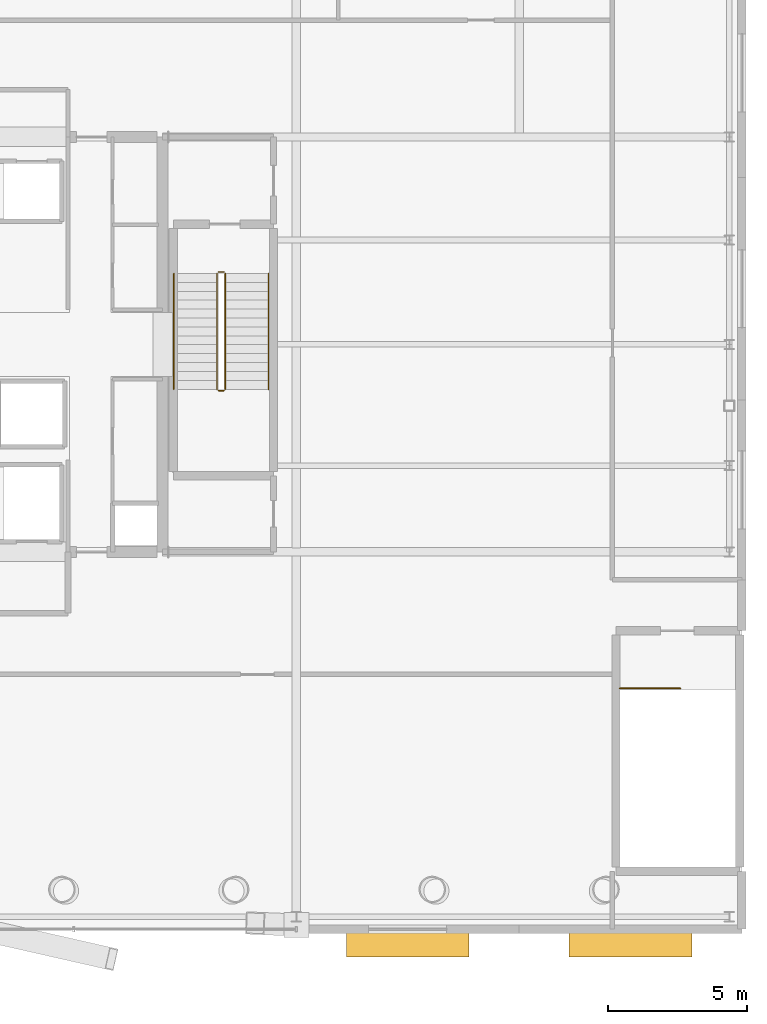
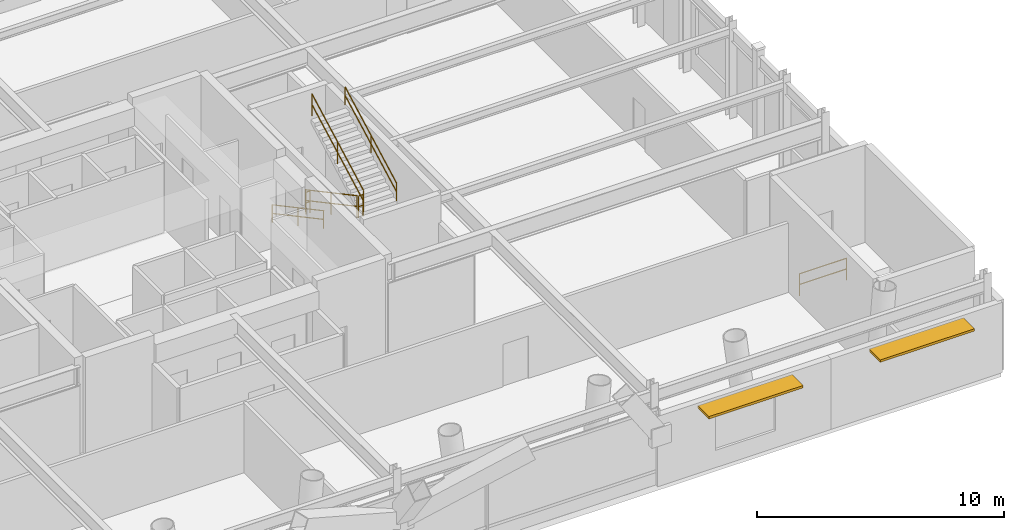
# One storey, part 20 of 21: 7 railings, 2 shading devices.
"""IFC4 building model written with IfcOpenShell, lengths in metres."""

from ifc_helpers import new_model, si_unit, direction, frame, origin, origin_2d, place, context, subcontext, project, spatial, rectangle, circle, extrude, material, layer, layer_set, type_object, element, save


model = new_model("IFC4")

# Units and contexts
model_context = context("Model", 3, precision=1e-05, world=origin(), true_north=direction((0.0, 1.0)))
body_context = subcontext(model_context, "Body", "Model", "MODEL_VIEW")
ifc_project = project(units=[si_unit("LENGTHUNIT", "METRE"), si_unit("AREAUNIT", "SQUARE_METRE"), si_unit("VOLUMEUNIT", "CUBIC_METRE"), si_unit("PLANEANGLEUNIT", "RADIAN"), si_unit("MASSUNIT", "GRAM", prefix="KILO")], contexts=[model_context])

# Site, building, storey
site_placement = place(None, origin())
site = spatial("IfcSite", under=ifc_project, at=site_placement, CompositionType="ELEMENT")
building_placement = place(site_placement, origin())
building = spatial("IfcBuilding", under=site, at=building_placement, Name="Veldorina Hangang Commons", CompositionType="ELEMENT")
storey_placement = place(building_placement, frame((0.0, 0.0, 19.60009765625)))
storey = spatial("IfcBuildingStorey", under=building, at=storey_placement, Name="L04", CompositionType="ELEMENT", Elevation=19.60009765625)

# Railings
ifc_material_1 = material(Name="Steel Painted Balustrade", Category="steel")
railing_type_1 = type_object("IfcRailingType", Name="RL-GRD-STAIR", PredefinedType="GUARDRAIL", material=ifc_material_1)
railing_1_placement = place(storey_placement, frame((41.14990234375, 26.550048828125, 0.17138671875)))
element("IfcRailing", 1, at=railing_1_placement, inside=storey, type_object=railing_type_1, Name="L04 ST-2 stair guard 1", PredefinedType="GUARDRAIL", context=body_context, shape_type="SweptSolid", body=[
    extrude(circle(Radius=0.02392578125, at=origin_2d()), frame((0.0, 0.0, 1.076171875), z_axis=(0.0, -0.881492274372, 0.472198443689), x_axis=(1.0, 0.0, 0.0)), (0.0, 0.0, 1.0), 4.719482421875),
    extrude(circle(Radius=0.02392578125, at=origin_2d()), frame((0.0, 0.0, 0.550048828125), z_axis=(0.0, -0.881492274372, 0.472198443689), x_axis=(1.0, 0.0, 0.0)), (0.0, 0.0, 1.0), 4.719482421875),
    extrude(circle(Radius=0.02099609375, at=origin_2d()), origin(), (0.0, 0.0, 1.0), 1.052001953125),
    extrude(circle(Radius=0.02099609375, at=origin_2d()), frame((0.0, -2.080078125, 1.1142578125)), (0.0, 0.0, 1.0), 1.052001953125),
    extrude(circle(Radius=0.02099609375, at=origin_2d()), frame((0.0, -4.16015625, 2.228515625)), (0.0, 0.0, 1.0), 1.052001953125),
])
railing_2_placement = place(storey_placement, frame((41.199951171875, 22.340087890625, 2.39990234375)))
element("IfcRailing", 2, at=railing_2_placement, inside=storey, type_object=railing_type_1, Name="L04 ST-2 stair guard 2", PredefinedType="GUARDRAIL", context=body_context, shape_type="SweptSolid", body=[
    extrude(circle(Radius=0.02392578125, at=origin_2d()), frame((0.0, 0.0, 1.076171875), z_axis=(1.0, 0.0, 0.0), x_axis=(0.0, 1.0, 0.0)), (0.0, 0.0, 1.0), 0.199951171875),
    extrude(circle(Radius=0.02392578125, at=origin_2d()), frame((0.0, 0.0, 0.550048828125), z_axis=(1.0, 0.0, 0.0), x_axis=(0.0, 1.0, 0.0)), (0.0, 0.0, 1.0), 0.199951171875),
    extrude(circle(Radius=0.02099609375, at=origin_2d()), origin(), (0.0, 0.0, 1.0), 1.052001953125),
    extrude(circle(Radius=0.02099609375, at=origin_2d()), frame((0.199951171875, 0.0, 0.0)), (0.0, 0.0, 1.0), 1.052001953125),
])
railing_3_placement = place(storey_placement, frame((41.449951171875, 22.389892578125, 2.5712890625)))
element("IfcRailing", 3, at=railing_3_placement, inside=storey, type_object=railing_type_1, Name="L04 ST-2 stair guard 3", PredefinedType="GUARDRAIL", context=body_context, shape_type="SweptSolid", body=[
    extrude(circle(Radius=0.02392578125, at=origin_2d()), frame((0.0, 0.0, 1.076171875), z_axis=(0.0, 0.881492274372, 0.472198443689), x_axis=(-1.0, 0.0, 0.0)), (0.0, 0.0, 1.0), 4.719482421875),
    extrude(circle(Radius=0.02392578125, at=origin_2d()), frame((0.0, 0.0, 0.550048828125), z_axis=(0.0, 0.881492274372, 0.472198443689), x_axis=(-1.0, 0.0, 0.0)), (0.0, 0.0, 1.0), 4.719482421875),
    extrude(circle(Radius=0.02099609375, at=origin_2d()), origin(), (0.0, 0.0, 1.0), 1.052001953125),
    extrude(circle(Radius=0.02099609375, at=origin_2d()), frame((0.0, 2.080078125, 1.1142578125)), (0.0, 0.0, 1.0), 1.052001953125),
    extrude(circle(Radius=0.02099609375, at=origin_2d()), frame((0.0, 4.16015625, 2.228515625)), (0.0, 0.0, 1.0), 1.052001953125),
])
railing_4_placement = place(storey_placement, frame((41.199951171875, 26.60009765625, 0.0)))
element("IfcRailing", 4, at=railing_4_placement, inside=storey, type_object=railing_type_1, Name="L04 ST-2 stair guard 4", PredefinedType="GUARDRAIL", context=body_context, shape_type="SweptSolid", body=[
    extrude(circle(Radius=0.02392578125, at=origin_2d()), frame((0.0, 0.0, 1.076171875), z_axis=(1.0, 0.0, 0.0), x_axis=(0.0, 1.0, 0.0)), (0.0, 0.0, 1.0), 0.199951171875),
    extrude(circle(Radius=0.02392578125, at=origin_2d()), frame((0.0, 0.0, 0.550048828125), z_axis=(1.0, 0.0, 0.0), x_axis=(0.0, 1.0, 0.0)), (0.0, 0.0, 1.0), 0.199951171875),
    extrude(circle(Radius=0.02099609375, at=origin_2d()), origin(), (0.0, 0.0, 1.0), 1.052001953125),
    extrude(circle(Radius=0.02099609375, at=origin_2d()), frame((0.199951171875, 0.0, 0.0)), (0.0, 0.0, 1.0), 1.052001953125),
])
railing_5_placement = place(storey_placement, frame((55.60009765625, 11.64990234375, 0.0)))
element("IfcRailing", 5, at=railing_5_placement, inside=storey, type_object=railing_type_1, Name="L04 ST-P2 top well guard 1", PredefinedType="GUARDRAIL", context=body_context, shape_type="SweptSolid", body=[
    extrude(circle(Radius=0.02392578125, at=origin_2d()), frame((0.0, 0.0, 1.076171875), z_axis=(1.0, 0.0, 0.0), x_axis=(0.0, 1.0, 0.0)), (0.0, 0.0, 1.0), 2.199951171875),
    extrude(circle(Radius=0.02392578125, at=origin_2d()), frame((0.0, 0.0, 0.550048828125), z_axis=(1.0, 0.0, 0.0), x_axis=(0.0, 1.0, 0.0)), (0.0, 0.0, 1.0), 2.199951171875),
    extrude(circle(Radius=0.02099609375, at=origin_2d()), origin(), (0.0, 0.0, 1.0), 1.052001953125),
    extrude(circle(Radius=0.02099609375, at=origin_2d()), frame((2.199951171875, 0.0, 0.0)), (0.0, 0.0, 1.0), 1.052001953125),
])
ifc_material_2 = material(Name="Stainless Steel Brushed 316", Category="steel")
railing_type_2 = type_object("IfcRailingType", Name="RL-HND-STAIR", PredefinedType="HANDRAIL", material=ifc_material_2)
railing_6_placement = place(storey_placement, frame((39.60009765625, 26.550048828125, 0.17138671875)))
element("IfcRailing", 6, at=railing_6_placement, inside=storey, type_object=railing_type_2, Name="L04 ST-2 stair handrail 1", PredefinedType="HANDRAIL", context=body_context, shape_type="SweptSolid", body=[
    extrude(circle(Radius=0.02392578125, at=origin_2d()), frame((0.0, 0.0, 0.8759765625), z_axis=(0.0, -0.881492274372, 0.472198443689), x_axis=(1.0, 0.0, 0.0)), (0.0, 0.0, 1.0), 4.719482421875),
    extrude(circle(Radius=0.02392578125, at=origin_2d()), frame((0.0, 0.0, 0.449951171875), z_axis=(0.0, -0.881492274372, 0.472198443689), x_axis=(1.0, 0.0, 0.0)), (0.0, 0.0, 1.0), 4.719482421875),
    extrude(circle(Radius=0.02099609375, at=origin_2d()), origin(), (0.0, 0.0, 1.0), 0.851806640625),
    extrude(circle(Radius=0.02099609375, at=origin_2d()), frame((0.0, -2.080078125, 1.1142578125)), (0.0, 0.0, 1.0), 0.851806640625),
    extrude(circle(Radius=0.02099609375, at=origin_2d()), frame((0.0, -4.16015625, 2.228515625)), (0.0, 0.0, 1.0), 0.851806640625),
])
railing_7_placement = place(storey_placement, frame((43.0, 22.389892578125, 2.5712890625)))
element("IfcRailing", 7, at=railing_7_placement, inside=storey, type_object=railing_type_2, Name="L04 ST-2 stair handrail 2", PredefinedType="HANDRAIL", context=body_context, shape_type="SweptSolid", body=[
    extrude(circle(Radius=0.02392578125, at=origin_2d()), frame((0.0, 0.0, 0.8759765625), z_axis=(0.0, 0.881492274372, 0.472198443689), x_axis=(-1.0, 0.0, 0.0)), (0.0, 0.0, 1.0), 4.719482421875),
    extrude(circle(Radius=0.02392578125, at=origin_2d()), frame((0.0, 0.0, 0.449951171875), z_axis=(0.0, 0.881492274372, 0.472198443689), x_axis=(-1.0, 0.0, 0.0)), (0.0, 0.0, 1.0), 4.719482421875),
    extrude(circle(Radius=0.02099609375, at=origin_2d()), origin(), (0.0, 0.0, 1.0), 0.851806640625),
    extrude(circle(Radius=0.02099609375, at=origin_2d()), frame((0.0, 2.080078125, 1.1142578125)), (0.0, 0.0, 1.0), 0.851806640625),
    extrude(circle(Radius=0.02099609375, at=origin_2d()), frame((0.0, 4.16015625, 2.228515625)), (0.0, 0.0, 1.0), 0.851806640625),
])

# Shading devices
ifc_material_3 = material(Name="Stone Roman Travertine", Category="masonry")
ifc_layer = layer(ifc_material_3, 0.1201171875)
ifc_layer_set = layer_set([ifc_layer], Name="Stone Roman Travertine")
shading_device_type = type_object("IfcShadingDeviceType", Name="SHD-POD-4000", PredefinedType="USERDEFINED", material=ifc_layer_set)
for number, where, z_axis, x_axis, name in (
    (8, (48.0, 2.449951171875, 3.18994140625), (0.0, 0.0, 1.0), (1.0, 0.0, 0.0), "L04 south travertine sunshade S6"),
    (9, (56.0, 2.449951171875, 3.18994140625), (0.0, 0.0, 1.0), (1.0, 0.0, 0.0), "L04 south travertine sunshade S7"),
):
    element("IfcShadingDevice", number, at=place(storey_placement, frame(where, z_axis=z_axis, x_axis=x_axis)), inside=storey, type_object=shading_device_type, Name=name, ObjectType="SUNSHADE", PredefinedType="USERDEFINED", context=body_context, shape_type="SweptSolid", body=[
        extrude(rectangle(XDim=4.39990234375, YDim=0.89990234375, at=origin_2d()), origin(), (0.0, 0.0, 1.0), 0.1201171875),
    ])

save(model, "model.ifc")
